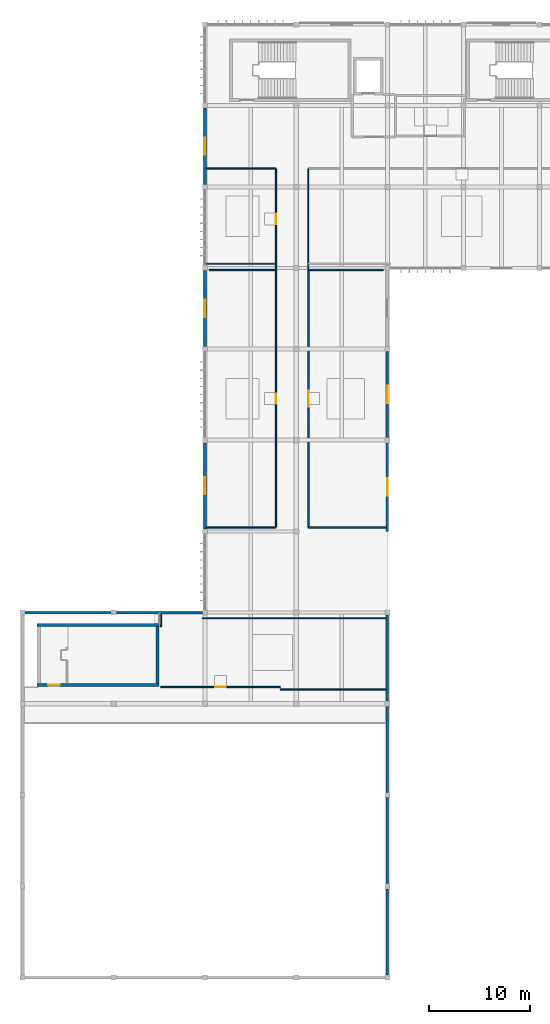
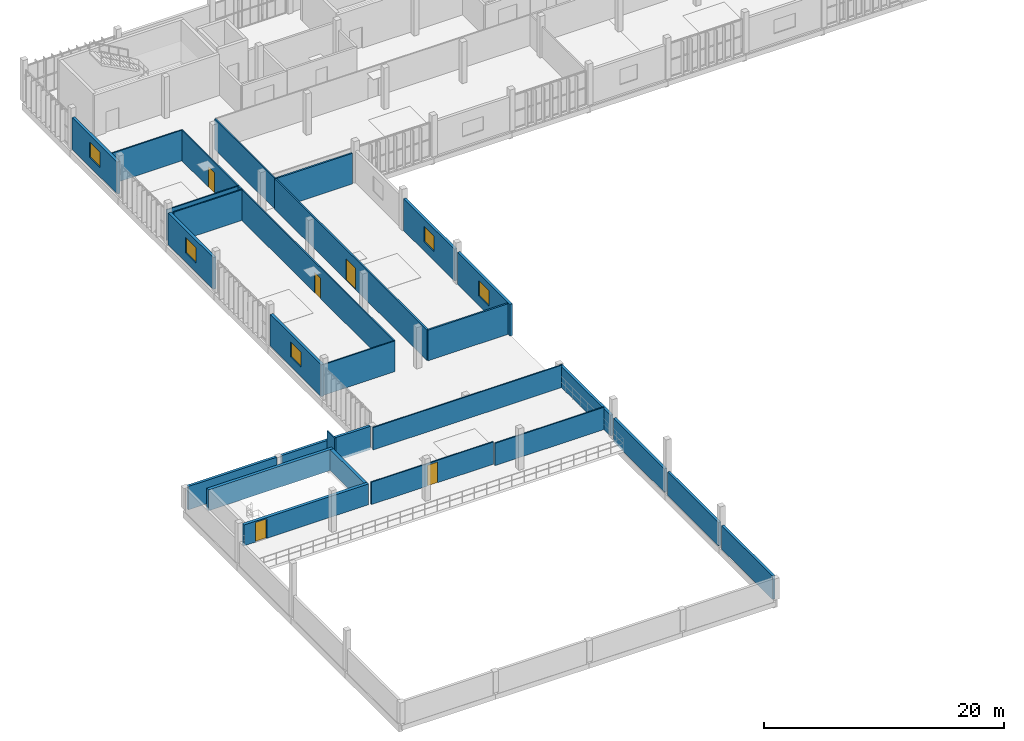
# One storey, part 18 of 27: 28 walls, 5 doors, 5 windows, 10 openings.
"""IFC4 building model written with IfcOpenShell, lengths in metres."""

import ifcopenshell
import ifcopenshell.guid

model = None  # the IFC model being written
_history = None  # IfcOwnerHistory: only IFC2X3 demands one
_inside = {}  # id of a spatial element -> (the spatial element, [elements in it])
_under = {}  # id of a project, library or spatial element -> (it, [spatial elements below it])
_declared = {}  # id of a project -> (the project, [libraries it declares])
_typed = {}  # id of a type object -> (the type object, [elements of that type])
_made_of = {}  # id of a material, layer set ... -> (it, [elements and type objects made of it])


def new_model(schema):
    """Start an empty IFC model of exactly this schema.

    Asked for "IFC4X3", IfcOpenShell would pick the latest addendum, in which some entities
    have other attributes; the version numbers below select the first issue.
    IFC2X3 requires an IfcOwnerHistory on every rooted entity: one is made here for all.
    """
    global model, _history
    if schema == "IFC4X3":
        model = ifcopenshell.file(schema_version=(4, 3, 0, 0))
    else:
        model = ifcopenshell.file(schema=schema)
    _inside.clear()
    _under.clear()
    _declared.clear()
    _typed.clear()
    _made_of.clear()
    _history = None
    if model.schema == "IFC2X3":
        org = make("IfcOrganization", Name="unknown")
        user = make(
            "IfcPersonAndOrganization",
            ThePerson=make("IfcPerson", FamilyName="unknown"),
            TheOrganization=org,
        )
        app = make(
            "IfcApplication",
            ApplicationDeveloper=org,
            Version="unknown",
            ApplicationFullName="unknown",
            ApplicationIdentifier="unknown",
        )
        _history = make(
            "IfcOwnerHistory",
            OwningUser=user,
            OwningApplication=app,
            ChangeAction="ADDED",
            CreationDate=0,
        )
    return model


def make(cls, **values):
    """One entity of the class cls with the attributes given. An attribute that is None is left unset."""
    return model.create_entity(
        cls, **{name: value for name, value in values.items() if value is not None}
    )


def rooted(cls, **values):
    """An entity with a GlobalId (a new one), such as an element, a storey or a relation."""
    return make(cls, GlobalId=ifcopenshell.guid.new(), OwnerHistory=_history, **values)


def si_unit(unit_type, name, prefix=None):
    """IfcSIUnit, for example si_unit("LENGTHUNIT", "METRE", prefix="MILLI")."""
    return make("IfcSIUnit", UnitType=unit_type, Prefix=prefix, Name=name)


def assignment(units):
    """IfcUnitAssignment: the units of a project."""
    return None if units is None else make("IfcUnitAssignment", Units=units)


def point(xyz):
    """IfcCartesianPoint."""
    return None if xyz is None else make("IfcCartesianPoint", Coordinates=xyz)


def direction(xyz):
    """IfcDirection."""
    return None if xyz is None else make("IfcDirection", DirectionRatios=xyz)


def frame(location, z_axis=None, x_axis=None):
    """IfcAxis2Placement3D, a coordinate frame: its origin and axes. An axis left out is left unset."""
    return make(
        "IfcAxis2Placement3D",
        Location=point(location),
        Axis=direction(z_axis),
        RefDirection=direction(x_axis),
    )


def frame_2d(location, x_axis=None):
    """IfcAxis2Placement2D, a coordinate frame in the plane: its origin and x axis."""
    return make(
        "IfcAxis2Placement2D", Location=point(location), RefDirection=direction(x_axis)
    )


def origin():
    """The frame at (0, 0, 0) with its axes left unset."""
    return frame((0.0, 0.0, 0.0))


def place(relative_to, where):
    """IfcLocalPlacement: puts the frame where relative to a parent placement (None: the world)."""
    return make(
        "IfcLocalPlacement", PlacementRelTo=relative_to, RelativePlacement=where
    )


def context(
    kind, dimensions, precision=None, world=None, true_north=None, identifier=None
):
    """IfcGeometricRepresentationContext, for example the 3D "Model" context."""
    return make(
        "IfcGeometricRepresentationContext",
        ContextIdentifier=identifier,
        ContextType=kind,
        CoordinateSpaceDimension=dimensions,
        Precision=precision,
        WorldCoordinateSystem=world,
        TrueNorth=true_north,
    )


def subcontext(parent, identifier, kind, view, scale=None):
    """IfcGeometricRepresentationSubContext, for example "Body" below "Model"."""
    return make(
        "IfcGeometricRepresentationSubContext",
        ContextIdentifier=identifier,
        ContextType=kind,
        ParentContext=parent,
        TargetScale=scale,
        TargetView=view,
    )


def project(units=None, contexts=None):
    """IfcProject with its units and contexts."""
    return rooted(
        "IfcProject",
        Name="project",
        RepresentationContexts=contexts,
        UnitsInContext=assignment(units),
    )


def spatial(cls, under=None, at=None, **own):
    """A site, building, storey or space (cls), placed at a placement, below another one or the project."""
    s = rooted(cls, ObjectPlacement=at, **own)
    if under is not None:
        _under.setdefault(under.id(), (under, []))[1].append(s)
    return s


def profile(cls, at=None, kind="AREA", **sizes):
    """A parametric profile (cls). Its sizes go by their IFC names, for example OverallWidth=200.0."""
    return make(cls, ProfileType=kind, Position=at, **sizes)


def rectangle(**sizes):
    """IfcRectangleProfileDef."""
    return profile("IfcRectangleProfileDef", **sizes)


def extrude(swept, where, along, depth):
    """IfcExtrudedAreaSolid: the profile swept, set in the frame where, extruded along a direction by depth."""
    return make(
        "IfcExtrudedAreaSolid",
        SweptArea=swept,
        Position=where,
        ExtrudedDirection=direction(along),
        Depth=depth,
    )


def shape(context_of_items, identifier, shape_type, items):
    """IfcShapeRepresentation: the items that make up one representation, for example the "Body"."""
    return make(
        "IfcShapeRepresentation",
        ContextOfItems=context_of_items,
        RepresentationIdentifier=identifier,
        RepresentationType=shape_type,
        Items=items,
    )


def material(Name=None, Category=None):
    """IfcMaterial."""
    return make("IfcMaterial", Name=Name, Category=Category)


def layer(
    of_material, thickness, ventilated=None, Name=None, Category=None, Priority=None
):
    """IfcMaterialLayer: one layer of a wall or slab, of a material (None: an air gap)."""
    return make(
        "IfcMaterialLayer",
        Material=of_material,
        LayerThickness=thickness,
        IsVentilated=ventilated,
        Name=Name,
        Category=Category,
        Priority=Priority,
    )


def layer_set(layers, Name=None):
    """IfcMaterialLayerSet."""
    return make("IfcMaterialLayerSet", MaterialLayers=layers, LayerSetName=Name)


def made_of(thing, what):
    """Note that an element or type object is made of a material, layer set ...; save() writes the relation."""
    if what is not None:
        _made_of.setdefault(what.id(), (what, []))[1].append(thing)
    return thing


def type_object(cls, material=None, **own):
    """A type object (cls), such as IfcWallType, which elements share."""
    return made_of(rooted(cls, **own), material)


def element(
    cls,
    number,
    at=None,
    inside=None,
    cuts=None,
    type_object=None,
    material=None,
    context=None,
    identifier="Body",
    shape_type=None,
    held_by="IfcProductDefinitionShape",
    body=None,
    shapes=None,
    **own,
):
    """One element of the class cls, such as IfcWall. Its Tag is "e" and its number.

    at: its placement. inside: the storey or other place that contains it. cuts: it is an
    opening in that element (IfcRelVoidsElement). A single representation is given by context,
    identifier, shape_type and body (its items); several are given by shapes. held_by: the class
    of the entity that holds the representations. save() writes the other relations.
    """
    e = rooted(cls, Tag="e%d" % number, ObjectPlacement=at, **own)
    if body is not None:
        shapes = [shape(context, identifier, shape_type, body)]
    if shapes is not None:
        e.Representation = make(held_by, Representations=shapes)
    if inside is not None:
        _inside.setdefault(inside.id(), (inside, []))[1].append(e)
    if cuts is not None:
        rooted(
            "IfcRelVoidsElement", RelatingBuildingElement=cuts, RelatedOpeningElement=e
        )
    if type_object is not None:
        _typed.setdefault(type_object.id(), (type_object, []))[1].append(e)
    return made_of(e, material)


def fill(opening, filler):
    """IfcRelFillsElement: the door or window that sits in an opening."""
    return rooted(
        "IfcRelFillsElement",
        RelatingOpeningElement=opening,
        RelatedBuildingElement=filler,
    )


def aggregate(whole, parts):
    """IfcRelAggregates: a whole, such as a stair, and the parts it consists of."""
    return rooted("IfcRelAggregates", RelatingObject=whole, RelatedObjects=parts)


def save(model, path):
    """Write the relations noted so far, then the file.

    IfcRelAggregates (storeys below a building ...), IfcRelContainedInSpatialStructure (elements
    in a storey), IfcRelDefinesByType, IfcRelAssociatesMaterial and IfcRelDeclares: one each for
    every whole, place, type object, material and project.
    """
    for whole, parts in _under.values():
        aggregate(whole, parts)
    for where, things in _inside.values():
        rooted(
            "IfcRelContainedInSpatialStructure",
            RelatedElements=things,
            RelatingStructure=where,
        )
    for kind, things in _typed.values():
        rooted("IfcRelDefinesByType", RelatedObjects=things, RelatingType=kind)
    for what, things in _made_of.values():
        rooted("IfcRelAssociatesMaterial", RelatedObjects=things, RelatingMaterial=what)
    for by, libraries in _declared.values():
        rooted("IfcRelDeclares", RelatingContext=by, RelatedDefinitions=libraries)
    model.write(path)


model = new_model("IFC4")

# Units and contexts
model_context = context("Model", 3, precision=1e-05, world=origin(), true_north=direction((0.0, 1.0)))
body_context = subcontext(model_context, "Body", "Model", "MODEL_VIEW")
ifc_project = project(units=[si_unit("LENGTHUNIT", "METRE"), si_unit("AREAUNIT", "SQUARE_METRE"), si_unit("VOLUMEUNIT", "CUBIC_METRE"), si_unit("PLANEANGLEUNIT", "RADIAN"), si_unit("MASSUNIT", "GRAM", prefix="KILO")], contexts=[model_context])

# Site, building, storey
site_placement = place(None, origin())
site = spatial("IfcSite", under=ifc_project, at=site_placement, CompositionType="ELEMENT")
building_placement = place(site_placement, origin())
building = spatial("IfcBuilding", under=site, at=building_placement, Name="Vourika Railside Aquatics Centre", CompositionType="ELEMENT")
storey_placement = place(building_placement, frame((0.0, 0.0, 13.5)))
storey = spatial("IfcBuildingStorey", under=building, at=storey_placement, Name="L03", CompositionType="ELEMENT", Elevation=13.5)

# Wall, opening, door
ifc_material_1 = material(Name="Concrete C40/50", Category="concrete")
ifc_layer_1 = layer(ifc_material_1, 0.300048828125, Name="WL-CORE")
ifc_layer_set_1 = layer_set([ifc_layer_1], Name="Concrete C40/50")
wall_type_1 = type_object("IfcWallType", Name="WL-CORE", PredefinedType="SHEAR", material=ifc_layer_set_1)
wall_1_placement = place(storey_placement, frame((1.449951171875, 50.85009765625, 0.0), z_axis=(0.0, 0.0, 1.0), x_axis=(1.0, 0.0, 0.0)))
wall_1 = element("IfcWall", 1, at=wall_1_placement, inside=storey, type_object=wall_type_1, Name="Protected Exit Stair Core ST04 South Wall (L03)", PredefinedType="SHEAR", context=body_context, shape_type="SweptSolid", body=[
    extrude(rectangle(XDim=12.0, YDim=0.300048828125, at=frame_2d((6.0, 0.0))), origin(), (0.0, 0.0, 1.0), 2.1201171875),
])
opening_1_placement = place(wall_1_placement, frame((1.10009765625, 0.0, 0.0)))
opening_1 = element("IfcOpeningElement", 2, at=opening_1_placement, cuts=wall_1, Name="Opening DF09", PredefinedType="OPENING", context=body_context, shape_type="SweptSolid", body=[
    extrude(rectangle(XDim=1.10009765625, YDim=2.0, at=frame_2d((0.550048828125, 1.0))), frame((0.0, 0.16015625, 0.0), z_axis=(0.0, -1.0, 0.0), x_axis=(1.0, 0.0, 0.0)), (0.0, 0.0, 1.0), 0.320068359375),
])
ifc_material_2 = material(Name="Fire-rated steel and timber core door", Category="steel")
door_type_1 = type_object("IfcDoorType", Name="DR-FD60-200", OperationType="NOTDEFINED", PredefinedType="DOOR", material=ifc_material_2)
door_1_placement = place(opening_1_placement, origin())
door_1 = element("IfcDoor", 3, at=door_1_placement, inside=storey, type_object=door_type_1, Name="Protected Exit Stair Core ST04 Enclosure Fire Door (L03)", OperationType="SINGLE_SWING_RIGHT", OverallHeight=2.0, OverallWidth=1.10009765625, PredefinedType="DOOR", context=body_context, shape_type="SweptSolid", body=[
    extrude(rectangle(XDim=1.10009765625, YDim=2.0, at=frame_2d((0.550048828125, 1.0))), frame((0.0, 0.02490234375, 0.0), z_axis=(0.0, -1.0, 0.0), x_axis=(1.0, 0.0, 0.0)), (0.0, 0.0, 1.0), 0.050048828125),
])
fill(opening_1, door_1)

# Walls
wall_2_placement = place(storey_placement, frame((13.449951171875, 56.75, 0.0), z_axis=(0.0, 0.0, 1.0), x_axis=(-1.0, 0.0, 0.0)))
element("IfcWall", 4, at=wall_2_placement, inside=storey, type_object=wall_type_1, Name="Protected Exit Stair Core ST04 North Wall (L03)", PredefinedType="SHEAR", context=body_context, shape_type="SweptSolid", body=[
    extrude(rectangle(XDim=12.0, YDim=0.300048828125, at=frame_2d((6.0, 0.0))), origin(), (0.0, 0.0, 1.0), 2.1201171875),
])
wall_3_placement = place(storey_placement, frame((13.300048828125, 51.0, 0.0), z_axis=(0.0, 0.0, 1.0), x_axis=(0.0, 1.0, 0.0)))
element("IfcWall", 5, at=wall_3_placement, inside=storey, type_object=wall_type_1, Name="Protected Exit Stair Core ST04 East Wall (L03)", PredefinedType="SHEAR", context=body_context, shape_type="SweptSolid", body=[
    extrude(rectangle(XDim=5.60009765625, YDim=0.300048828125, at=frame_2d((2.800048828125, 0.0))), origin(), (0.0, 0.0, 1.0), 2.1201171875),
])
ifc_material_3 = material(Name="Precast concrete C40/50", Category="concrete")
ifc_layer_2 = layer(ifc_material_3, 0.25, Name="WL-EXT-250")
ifc_layer_set_2 = layer_set([ifc_layer_2], Name="Precast concrete C40/50")
wall_type_2 = type_object("IfcWallType", Name="WL-EXT-250", PredefinedType="SOLIDWALL", material=ifc_layer_set_2)
for number, where, z_axis, x_axis, name in (
    (6, (8.75, 58.0, -0.260009765625), (0.0, 0.0, 1.0), (-1.0, 0.0, 0.0), "Diving Hall North Wall (L03-1)"),
    (7, (17.75, 58.0, -0.260009765625), (0.0, 0.0, 1.0), (-1.0, 0.0, 0.0), "Diving Hall North Wall (L03-2)"),
    (8, (36.0, 22.25, -0.260009765625), (0.0, 0.0, 1.0), (0.0, 1.0, 0.0), "Diving Hall East Spandrel Wall 1"),
    (9, (36.0, 31.25, -0.260009765625), (0.0, 0.0, 1.0), (0.0, 1.0, 0.0), "Diving Hall East Spandrel Wall 2"),
    (10, (36.0, 40.25, -0.260009765625), (0.0, 0.0, 1.0), (0.0, 1.0, 0.0), "Diving Hall East Spandrel Wall 3"),
):
    element("IfcWall", number, at=place(storey_placement, frame(where, z_axis=z_axis, x_axis=x_axis)), inside=storey, type_object=wall_type_2, Name=name, PredefinedType="SOLIDWALL", context=body_context, shape_type="SweptSolid", body=[
        extrude(rectangle(XDim=8.5, YDim=0.25, at=frame_2d((4.25, 0.0))), origin(), (0.0, 0.0, 1.0), 2.380126953125),
    ])
wall_4_placement = place(storey_placement, frame((36.0, 49.25, 0.0), z_axis=(0.0, 0.0, 1.0), x_axis=(0.0, 1.0, 0.0)))
element("IfcWall", 11, at=wall_4_placement, inside=storey, type_object=wall_type_2, Name="Diving Hall East Spandrel Wall 4", PredefinedType="SOLIDWALL", context=body_context, shape_type="SweptSolid", body=[
    extrude(rectangle(XDim=8.5, YDim=0.25, at=frame_2d((4.25, 0.0))), origin(), (0.0, 0.0, 1.0), 2.1201171875),
])

# Wall, opening, window
wall_5_placement = place(storey_placement, frame((36.0, 66.0, 0.0), z_axis=(0.0, 0.0, 1.0), x_axis=(0.0, 1.0, 0.0)))
wall_5 = element("IfcWall", 12, at=wall_5_placement, inside=storey, type_object=wall_type_2, Name="West Link Courtyard Wall L03-1", PredefinedType="SOLIDWALL", context=body_context, shape_type="SweptSolid", body=[
    extrude(rectangle(XDim=8.75, YDim=0.25, at=frame_2d((4.375, 0.0))), origin(), (0.0, 0.0, 1.0), 3.239990234375),
])
opening_2_placement = place(wall_5_placement, frame((3.52490234375, 0.0, 0.949951171875)))
opening_2 = element("IfcOpeningElement", 13, at=opening_2_placement, cuts=wall_5, Name="Opening W11", PredefinedType="OPENING", context=body_context, shape_type="SweptSolid", body=[
    extrude(rectangle(XDim=1.699951171875, YDim=1.550048828125, at=frame_2d((0.85009765625, 0.77490234375))), frame((0.0, 0.135009765625, 0.0), z_axis=(0.0, -1.0, 0.0), x_axis=(1.0, 0.0, 0.0)), (0.0, 0.0, 1.0), 0.27001953125),
])
ifc_material_4 = material(Name="Laminated solar-control glass", Category="glass")
window_type = type_object("IfcWindowType", Name="WN-LAB-170x155", PartitioningType="SINGLE_PANEL", PredefinedType="WINDOW", material=ifc_material_4)
window_1_placement = place(opening_2_placement, origin())
window_1 = element("IfcWindow", 14, at=window_1_placement, inside=storey, type_object=window_type, Name="West Link Courtyard Window L03-1", OverallHeight=1.550048828125, OverallWidth=1.699951171875, PartitioningType="SINGLE_PANEL", PredefinedType="WINDOW", context=body_context, shape_type="SweptSolid", body=[
    extrude(rectangle(XDim=1.699951171875, YDim=1.550048828125, at=frame_2d((0.85009765625, 0.77490234375))), frame((0.0, 0.030029296875, 0.0), z_axis=(0.0, -1.0, 0.0), x_axis=(1.0, 0.0, 0.0)), (0.0, 0.0, 1.0), 0.06005859375),
])
fill(opening_2, window_1)

wall_6_placement = place(storey_placement, frame((36.0, 75.25, 0.0), z_axis=(0.0, 0.0, 1.0), x_axis=(0.0, 1.0, 0.0)))
wall_6 = element("IfcWall", 15, at=wall_6_placement, inside=storey, type_object=wall_type_2, Name="West Link Courtyard Wall L03-2", PredefinedType="SOLIDWALL", context=body_context, shape_type="SweptSolid", body=[
    extrude(rectangle(XDim=8.5, YDim=0.25, at=frame_2d((4.25, 0.0))), origin(), (0.0, 0.0, 1.0), 3.239990234375),
])
opening_3_placement = place(wall_6_placement, frame((3.39990234375, 0.0, 0.949951171875)))
opening_3 = element("IfcOpeningElement", 16, at=opening_3_placement, cuts=wall_6, Name="Opening W11", PredefinedType="OPENING", context=body_context, shape_type="SweptSolid", body=[
    extrude(rectangle(XDim=1.699951171875, YDim=1.550048828125, at=frame_2d((0.85009765625, 0.77490234375))), frame((0.0, 0.135009765625, 0.0), z_axis=(0.0, -1.0, 0.0), x_axis=(1.0, 0.0, 0.0)), (0.0, 0.0, 1.0), 0.27001953125),
])
window_2_placement = place(opening_3_placement, origin())
window_2 = element("IfcWindow", 17, at=window_2_placement, inside=storey, type_object=window_type, Name="West Link Courtyard Window L03-2", OverallHeight=1.550048828125, OverallWidth=1.699951171875, PartitioningType="SINGLE_PANEL", PredefinedType="WINDOW", context=body_context, shape_type="SweptSolid", body=[
    extrude(rectangle(XDim=1.699951171875, YDim=1.550048828125, at=frame_2d((0.85009765625, 0.77490234375))), frame((0.0, 0.030029296875, 0.0), z_axis=(0.0, -1.0, 0.0), x_axis=(1.0, 0.0, 0.0)), (0.0, 0.0, 1.0), 0.06005859375),
])
fill(opening_3, window_2)

ifc_layer_3 = layer(ifc_material_3, 0.27001953125, Name="WL-EXT-270")
ifc_layer_set_3 = layer_set([ifc_layer_3], Name="Precast concrete C40/50")
wall_type_3 = type_object("IfcWallType", Name="WL-EXT-270", PredefinedType="SOLIDWALL", material=ifc_layer_set_3)
wall_7_placement = place(storey_placement, frame((18.0, 74.75, 0.0), z_axis=(0.0, 0.0, 1.0), x_axis=(0.0, -1.0, 0.0)))
wall_7 = element("IfcWall", 18, at=wall_7_placement, inside=storey, type_object=wall_type_3, Name="Fitness West Precast Wall L03-2", PredefinedType="SOLIDWALL", context=body_context, shape_type="SweptSolid", body=[
    extrude(rectangle(XDim=8.5, YDim=0.27001953125, at=frame_2d((4.25, 0.0))), origin(), (0.0, 0.0, 1.0), 3.239990234375),
])
opening_4_placement = place(wall_7_placement, frame((3.39990234375, 0.0, 0.949951171875)))
opening_4 = element("IfcOpeningElement", 19, at=opening_4_placement, cuts=wall_7, Name="Opening W11", PredefinedType="OPENING", context=body_context, shape_type="SweptSolid", body=[
    extrude(rectangle(XDim=1.699951171875, YDim=1.550048828125, at=frame_2d((0.85009765625, 0.77490234375))), frame((0.0, 0.14501953125, 0.0), z_axis=(0.0, -1.0, 0.0), x_axis=(1.0, 0.0, 0.0)), (0.0, 0.0, 1.0), 0.2900390625),
])
window_3_placement = place(opening_4_placement, origin())
window_3 = element("IfcWindow", 20, at=window_3_placement, inside=storey, type_object=window_type, Name="Fitness West Window L03-2", OverallHeight=1.550048828125, OverallWidth=1.699951171875, PartitioningType="SINGLE_PANEL", PredefinedType="WINDOW", context=body_context, shape_type="SweptSolid", body=[
    extrude(rectangle(XDim=1.699951171875, YDim=1.550048828125, at=frame_2d((0.85009765625, 0.77490234375))), frame((0.0, 0.030029296875, 0.0), z_axis=(0.0, -1.0, 0.0), x_axis=(1.0, 0.0, 0.0)), (0.0, 0.0, 1.0), 0.06005859375),
])
fill(opening_4, window_3)

wall_8_placement = place(storey_placement, frame((18.0, 91.75, 0.0), z_axis=(0.0, 0.0, 1.0), x_axis=(0.0, -1.0, 0.0)))
wall_8 = element("IfcWall", 21, at=wall_8_placement, inside=storey, type_object=wall_type_3, Name="Fitness West Precast Wall L03-4", PredefinedType="SOLIDWALL", context=body_context, shape_type="SweptSolid", body=[
    extrude(rectangle(XDim=7.5, YDim=0.27001953125, at=frame_2d((3.75, 0.0))), origin(), (0.0, 0.0, 1.0), 3.239990234375),
])
opening_5_placement = place(wall_8_placement, frame((2.89990234375, 0.0, 0.949951171875)))
opening_5 = element("IfcOpeningElement", 22, at=opening_5_placement, cuts=wall_8, Name="Opening W11", PredefinedType="OPENING", context=body_context, shape_type="SweptSolid", body=[
    extrude(rectangle(XDim=1.699951171875, YDim=1.550048828125, at=frame_2d((0.85009765625, 0.77490234375))), frame((0.0, 0.14501953125, 0.0), z_axis=(0.0, -1.0, 0.0), x_axis=(1.0, 0.0, 0.0)), (0.0, 0.0, 1.0), 0.2900390625),
])
window_4_placement = place(opening_5_placement, origin())
window_4 = element("IfcWindow", 23, at=window_4_placement, inside=storey, type_object=window_type, Name="Fitness West Window L03-4", OverallHeight=1.550048828125, OverallWidth=1.699951171875, PartitioningType="SINGLE_PANEL", PredefinedType="WINDOW", context=body_context, shape_type="SweptSolid", body=[
    extrude(rectangle(XDim=1.699951171875, YDim=1.550048828125, at=frame_2d((0.85009765625, 0.77490234375))), frame((0.0, 0.030029296875, 0.0), z_axis=(0.0, -1.0, 0.0), x_axis=(1.0, 0.0, 0.0)), (0.0, 0.0, 1.0), 0.06005859375),
])
fill(opening_5, window_4)

wall_9_placement = place(storey_placement, frame((18.0, 107.75, 0.0), z_axis=(0.0, 0.0, 1.0), x_axis=(0.0, -1.0, 0.0)))
wall_9 = element("IfcWall", 24, at=wall_9_placement, inside=storey, type_object=wall_type_3, Name="Fitness West Precast Wall L03-6", PredefinedType="SOLIDWALL", context=body_context, shape_type="SweptSolid", body=[
    extrude(rectangle(XDim=7.5, YDim=0.27001953125, at=frame_2d((3.75, 0.0))), origin(), (0.0, 0.0, 1.0), 3.239990234375),
])
opening_6_placement = place(wall_9_placement, frame((2.89990234375, 0.0, 0.949951171875)))
opening_6 = element("IfcOpeningElement", 25, at=opening_6_placement, cuts=wall_9, Name="Opening W11", PredefinedType="OPENING", context=body_context, shape_type="SweptSolid", body=[
    extrude(rectangle(XDim=1.699951171875, YDim=1.550048828125, at=frame_2d((0.85009765625, 0.77490234375))), frame((0.0, 0.14501953125, 0.0), z_axis=(0.0, -1.0, 0.0), x_axis=(1.0, 0.0, 0.0)), (0.0, 0.0, 1.0), 0.2900390625),
])
window_5_placement = place(opening_6_placement, origin())
window_5 = element("IfcWindow", 26, at=window_5_placement, inside=storey, type_object=window_type, Name="Fitness West Window L03-6", OverallHeight=1.550048828125, OverallWidth=1.699951171875, PartitioningType="SINGLE_PANEL", PredefinedType="WINDOW", context=body_context, shape_type="SweptSolid", body=[
    extrude(rectangle(XDim=1.699951171875, YDim=1.550048828125, at=frame_2d((0.85009765625, 0.77490234375))), frame((0.0, 0.030029296875, 0.0), z_axis=(0.0, -1.0, 0.0), x_axis=(1.0, 0.0, 0.0)), (0.0, 0.0, 1.0), 0.06005859375),
])
fill(opening_6, window_5)

# Wall, opening, door
ifc_material_5 = material(Name="Lightweight drylining partition")
ifc_layer_4 = layer(ifc_material_5, 0.1201171875, Name="WL-PART-120")
ifc_layer_set_4 = layer_set([ifc_layer_4], Name="Lightweight drylining partition")
wall_type_4 = type_object("IfcWallType", Name="WL-PART-120", PredefinedType="PARTITIONING", material=ifc_layer_set_4)
wall_10_placement = place(storey_placement, frame((25.39990234375, 50.64990234375, 0.0), z_axis=(0.0, 0.0, 1.0), x_axis=(-1.0, 0.0, 0.0)))
wall_10 = element("IfcWall", 27, at=wall_10_placement, inside=storey, type_object=wall_type_4, Name="High-Diving Control and Video Replay Gallery Partition 1", PredefinedType="PARTITIONING", context=body_context, shape_type="SweptSolid", body=[
    extrude(rectangle(XDim=11.75, YDim=0.1201171875, at=frame_2d((5.875, 0.0))), origin(), (0.0, 0.0, 1.0), 2.27490234375),
])
opening_7_placement = place(wall_10_placement, frame((5.375, 0.0, 0.0)))
opening_7 = element("IfcOpeningElement", 28, at=opening_7_placement, cuts=wall_10, Name="Opening DI01", PredefinedType="OPENING", context=body_context, shape_type="SweptSolid", body=[
    extrude(rectangle(XDim=1.0, YDim=2.10009765625, at=frame_2d((0.5, 1.050048828125))), frame((0.0, 0.070068359375, 0.0), z_axis=(0.0, -1.0, 0.0), x_axis=(1.0, 0.0, 0.0)), (0.0, 0.0, 1.0), 0.14013671875),
])
ifc_material_6 = material(Name="Anodized aluminium and laminate door", Category="aluminium")
door_type_2 = type_object("IfcDoorType", Name="DR-INT-1000", OperationType="NOTDEFINED", PredefinedType="DOOR", material=ifc_material_6)
door_2_placement = place(opening_7_placement, origin())
door_2 = element("IfcDoor", 29, at=door_2_placement, inside=storey, type_object=door_type_2, Name="High-Diving Control and Video Replay Gallery Door", OperationType="SINGLE_SWING_LEFT", OverallHeight=2.10009765625, OverallWidth=1.0, PredefinedType="DOOR", context=body_context, shape_type="SweptSolid", body=[
    extrude(rectangle(XDim=1.0, YDim=2.10009765625, at=frame_2d((0.5, 1.050048828125))), frame((0.0, 0.02490234375, 0.0), z_axis=(0.0, -1.0, 0.0), x_axis=(1.0, 0.0, 0.0)), (0.0, 0.0, 1.0), 0.050048828125),
])
fill(opening_7, door_2)

# Walls
wall_11_placement = place(storey_placement, frame((17.75, 57.449951171875, 0.0), z_axis=(0.0, 0.0, 1.0), x_axis=(1.0, 0.0, 0.0)))
element("IfcWall", 30, at=wall_11_placement, inside=storey, type_object=wall_type_4, Name="High-Diving Control and Video Replay Gallery Partition 2", PredefinedType="PARTITIONING", context=body_context, shape_type="SweptSolid", body=[
    extrude(rectangle(XDim=18.14501953125, YDim=0.1201171875, at=frame_2d((9.072509765625, 0.0))), origin(), (0.0, 0.0, 1.0), 2.27490234375),
])
wall_12_placement = place(storey_placement, frame((35.89501953125, 50.39990234375, 0.0), z_axis=(0.0, 0.0, 1.0), x_axis=(-1.0, 0.0, 0.0)))
element("IfcWall", 31, at=wall_12_placement, inside=storey, type_object=wall_type_4, Name="High-Diving Control and Video Replay Gallery Partition 3", PredefinedType="PARTITIONING", context=body_context, shape_type="SweptSolid", body=[
    extrude(rectangle(XDim=10.4951171875, YDim=0.1201171875, at=frame_2d((5.24755859375, 0.0))), origin(), (0.0, 0.0, 1.0), 2.27490234375),
])
wall_13_placement = place(storey_placement, frame((13.64990234375, 56.60009765625, 0.0), z_axis=(0.0, 0.0, 1.0), x_axis=(0.0, 1.0, 0.0)))
element("IfcWall", 32, at=wall_13_placement, inside=storey, type_object=wall_type_4, Name="High-Diving Control and Video Replay Gallery Partition 4", PredefinedType="PARTITIONING", context=body_context, shape_type="SweptSolid", body=[
    extrude(rectangle(XDim=1.294921875, YDim=0.1201171875, at=frame_2d((0.6474609375, 0.0))), origin(), (0.0, 0.0, 1.0), 3.1201171875),
])

# Wall, opening, door
wall_14_placement = place(storey_placement, frame((25.0, 91.800048828125, 0.0), z_axis=(0.0, 0.0, 1.0), x_axis=(0.0, -1.0, 0.0)))
wall_14 = element("IfcWall", 33, at=wall_14_placement, inside=storey, type_object=wall_type_4, Name="High-Diving Biomechanics Observation Lounge Partition 1", PredefinedType="PARTITIONING", context=body_context, shape_type="SweptSolid", body=[
    extrude(rectangle(XDim=25.400146484375, YDim=0.1201171875, at=frame_2d((12.7001953125, 0.0))), origin(), (0.0, 0.0, 1.0), 3.1201171875),
])
opening_8_placement = place(wall_14_placement, frame((12.199951171875, 0.0, 0.0)))
opening_8 = element("IfcOpeningElement", 34, at=opening_8_placement, cuts=wall_14, Name="Opening DI01", PredefinedType="OPENING", context=body_context, shape_type="SweptSolid", body=[
    extrude(rectangle(XDim=1.0, YDim=2.10009765625, at=frame_2d((0.5, 1.050048828125))), frame((0.0, 0.070068359375, 0.0), z_axis=(0.0, -1.0, 0.0), x_axis=(1.0, 0.0, 0.0)), (0.0, 0.0, 1.0), 0.14013671875),
])
door_3_placement = place(opening_8_placement, origin())
door_3 = element("IfcDoor", 35, at=door_3_placement, inside=storey, type_object=door_type_2, Name="High-Diving Biomechanics Observation Lounge Door", OperationType="SINGLE_SWING_RIGHT", OverallHeight=2.10009765625, OverallWidth=1.0, PredefinedType="DOOR", context=body_context, shape_type="SweptSolid", body=[
    extrude(rectangle(XDim=1.0, YDim=2.10009765625, at=frame_2d((0.5, 1.050048828125))), frame((0.0, 0.02490234375, 0.0), z_axis=(0.0, -1.0, 0.0), x_axis=(1.0, 0.0, 0.0)), (0.0, 0.0, 1.0), 0.050048828125),
])
fill(opening_8, door_3)

# Walls
wall_15_placement = place(storey_placement, frame((18.39990234375, 91.800048828125, 0.0), z_axis=(0.0, 0.0, 1.0), x_axis=(1.0, 0.0, 0.0)))
element("IfcWall", 36, at=wall_15_placement, inside=storey, type_object=wall_type_4, Name="High-Diving Biomechanics Observation Lounge Partition 2", PredefinedType="PARTITIONING", context=body_context, shape_type="SweptSolid", body=[
    extrude(rectangle(XDim=6.60009765625, YDim=0.1201171875, at=frame_2d((3.300048828125, 0.0))), origin(), (0.0, 0.0, 1.0), 3.1201171875),
])
wall_16_placement = place(storey_placement, frame((25.0, 66.39990234375, 0.0), z_axis=(0.0, 0.0, 1.0), x_axis=(-1.0, 0.0, 0.0)))
element("IfcWall", 37, at=wall_16_placement, inside=storey, type_object=wall_type_4, Name="High-Diving Biomechanics Observation Lounge Partition 3", PredefinedType="PARTITIONING", context=body_context, shape_type="SweptSolid", body=[
    extrude(rectangle(XDim=6.885009765625, YDim=0.1201171875, at=frame_2d((3.4423828125, 0.0))), origin(), (0.0, 0.0, 1.0), 3.1201171875),
])

# Wall, opening, door
wall_17_placement = place(storey_placement, frame((25.0, 101.800048828125, 0.0), z_axis=(0.0, 0.0, 1.0), x_axis=(0.0, -1.0, 0.0)))
wall_17 = element("IfcWall", 38, at=wall_17_placement, inside=storey, type_object=wall_type_4, Name="Aromatherapy and Cold-Plunge Recovery Suite Partition 1", PredefinedType="PARTITIONING", context=body_context, shape_type="SweptSolid", body=[
    extrude(rectangle(XDim=9.9599609375, YDim=0.1201171875, at=frame_2d((4.97998046875, 0.0))), origin(), (0.0, 0.0, 1.0), 3.1201171875),
])
opening_9_placement = place(wall_17_placement, frame((4.47998046875, 0.0, 0.0)))
opening_9 = element("IfcOpeningElement", 39, at=opening_9_placement, cuts=wall_17, Name="Opening DI01", PredefinedType="OPENING", context=body_context, shape_type="SweptSolid", body=[
    extrude(rectangle(XDim=1.0, YDim=2.10009765625, at=frame_2d((0.5, 1.050048828125))), frame((0.0, 0.070068359375, 0.0), z_axis=(0.0, -1.0, 0.0), x_axis=(1.0, 0.0, 0.0)), (0.0, 0.0, 1.0), 0.14013671875),
])
door_4_placement = place(opening_9_placement, origin())
door_4 = element("IfcDoor", 40, at=door_4_placement, inside=storey, type_object=door_type_2, Name="Aromatherapy and Cold-Plunge Recovery Suite Door", OperationType="SINGLE_SWING_LEFT", OverallHeight=2.10009765625, OverallWidth=1.0, PredefinedType="DOOR", context=body_context, shape_type="SweptSolid", body=[
    extrude(rectangle(XDim=1.0, YDim=2.10009765625, at=frame_2d((0.5, 1.050048828125))), frame((0.0, 0.02490234375, 0.0), z_axis=(0.0, -1.0, 0.0), x_axis=(1.0, 0.0, 0.0)), (0.0, 0.0, 1.0), 0.050048828125),
])
fill(opening_9, door_4)

# Walls
wall_18_placement = place(storey_placement, frame((18.114990234375, 101.800048828125, 0.0), z_axis=(0.0, 0.0, 1.0), x_axis=(1.0, 0.0, 0.0)))
element("IfcWall", 41, at=wall_18_placement, inside=storey, type_object=wall_type_4, Name="Aromatherapy and Cold-Plunge Recovery Suite Partition 2", PredefinedType="PARTITIONING", context=body_context, shape_type="SweptSolid", body=[
    extrude(rectangle(XDim=6.885009765625, YDim=0.1201171875, at=frame_2d((3.4423828125, 0.0))), origin(), (0.0, 0.0, 1.0), 3.1201171875),
])
wall_19_placement = place(storey_placement, frame((25.0, 92.39990234375, 0.0), z_axis=(0.0, 0.0, 1.0), x_axis=(-1.0, 0.0, 0.0)))
element("IfcWall", 42, at=wall_19_placement, inside=storey, type_object=wall_type_4, Name="Aromatherapy and Cold-Plunge Recovery Suite Partition 3", PredefinedType="PARTITIONING", context=body_context, shape_type="SweptSolid", body=[
    extrude(rectangle(XDim=6.948974609375, YDim=0.1201171875, at=frame_2d((3.474609375, 0.0))), origin(), (0.0, 0.0, 1.0), 3.1201171875),
])
wall_20_placement = place(storey_placement, frame((28.199951171875, 91.860107421875, 0.0), z_axis=(0.0, 0.0, 1.0), x_axis=(0.0, 1.0, 0.0)))
element("IfcWall", 43, at=wall_20_placement, inside=storey, type_object=wall_type_4, Name="Thermal Hydrotherapy and Vitality Lounge Partition 2", PredefinedType="PARTITIONING", context=body_context, shape_type="SweptSolid", body=[
    extrude(rectangle(XDim=9.93994140625, YDim=0.1201171875, at=frame_2d((4.969970703125, 0.0))), origin(), (0.0, 0.0, 1.0), 3.1201171875),
])

# Wall, opening, door
ifc_material_7 = material(Name="Acoustic twin-stud partition")
ifc_layer_5 = layer(ifc_material_7, 0.159912109375, Name="WL-PART-160")
ifc_layer_set_5 = layer_set([ifc_layer_5], Name="Acoustic twin-stud partition")
wall_type_5 = type_object("IfcWallType", Name="WL-PART-160", PredefinedType="PARTITIONING", material=ifc_layer_set_5)
wall_21_placement = place(storey_placement, frame((28.199951171875, 66.39990234375, 0.0), z_axis=(0.0, 0.0, 1.0), x_axis=(0.0, 1.0, 0.0)))
wall_21 = element("IfcWall", 44, at=wall_21_placement, inside=storey, type_object=wall_type_5, Name="Championship Video Analysis Studio Partition 1", PredefinedType="PARTITIONING", context=body_context, shape_type="SweptSolid", body=[
    extrude(rectangle(XDim=25.400146484375, YDim=0.159912109375, at=frame_2d((12.7001953125, 0.0))), origin(), (0.0, 0.0, 1.0), 3.1201171875),
])
opening_10_placement = place(wall_21_placement, frame((11.89990234375, 0.0, 0.0)))
opening_10 = element("IfcOpeningElement", 45, at=opening_10_placement, cuts=wall_21, Name="Opening DI04", PredefinedType="OPENING", context=body_context, shape_type="SweptSolid", body=[
    extrude(rectangle(XDim=1.60009765625, YDim=2.199951171875, at=frame_2d((0.800048828125, 1.10009765625))), frame((0.0, 0.08984375, 0.0), z_axis=(0.0, -1.0, 0.0), x_axis=(1.0, 0.0, 0.0)), (0.0, 0.0, 1.0), 0.179931640625),
])
ifc_material_8 = material(Name="Double studio entrance door")
door_type_3 = type_object("IfcDoorType", Name="DR-INT-1600D", OperationType="DOUBLE_DOOR_SINGLE_SWING", PredefinedType="DOOR", material=ifc_material_8)
door_5_placement = place(opening_10_placement, origin())
door_5 = element("IfcDoor", 46, at=door_5_placement, inside=storey, type_object=door_type_3, Name="Championship Video Analysis Studio Door", OperationType="DOUBLE_DOOR_SINGLE_SWING", OverallHeight=2.199951171875, OverallWidth=1.60009765625, PredefinedType="DOOR", context=body_context, shape_type="SweptSolid", body=[
    extrude(rectangle(XDim=1.60009765625, YDim=2.199951171875, at=frame_2d((0.800048828125, 1.10009765625))), frame((0.0, 0.02490234375, 0.0), z_axis=(0.0, -1.0, 0.0), x_axis=(1.0, 0.0, 0.0)), (0.0, 0.0, 1.0), 0.050048828125),
])
fill(opening_10, door_5)

# Walls
wall_22_placement = place(storey_placement, frame((28.199951171875, 91.800048828125, 0.0), z_axis=(0.0, 0.0, 1.0), x_axis=(1.0, 0.0, 0.0)))
element("IfcWall", 47, at=wall_22_placement, inside=storey, type_object=wall_type_5, Name="Championship Video Analysis Studio Partition 2", PredefinedType="PARTITIONING", context=body_context, shape_type="SweptSolid", body=[
    extrude(rectangle(XDim=7.400146484375, YDim=0.159912109375, at=frame_2d((3.7001953125, 0.0))), origin(), (0.0, 0.0, 1.0), 3.1201171875),
])
wall_23_placement = place(storey_placement, frame((35.89501953125, 66.39990234375, 0.0), z_axis=(0.0, 0.0, 1.0), x_axis=(-1.0, 0.0, 0.0)))
element("IfcWall", 48, at=wall_23_placement, inside=storey, type_object=wall_type_5, Name="Championship Video Analysis Studio Partition 3", PredefinedType="PARTITIONING", context=body_context, shape_type="SweptSolid", body=[
    extrude(rectangle(XDim=7.695068359375, YDim=0.159912109375, at=frame_2d((3.84765625, 0.0))), origin(), (0.0, 0.0, 1.0), 3.1201171875),
])

save(model, "model.ifc")
